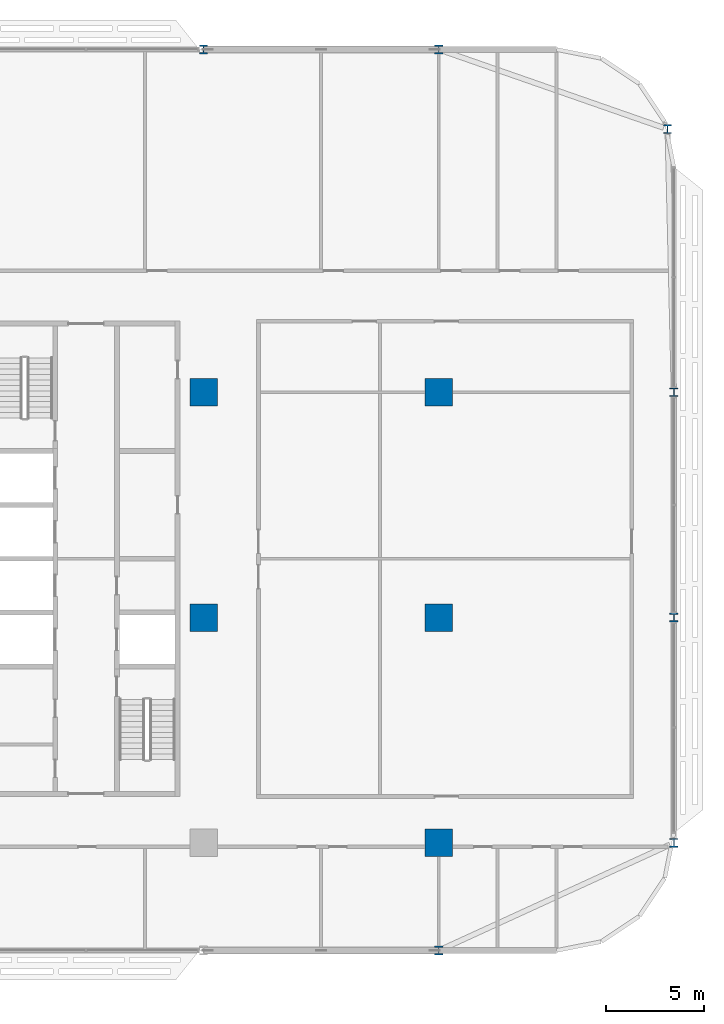
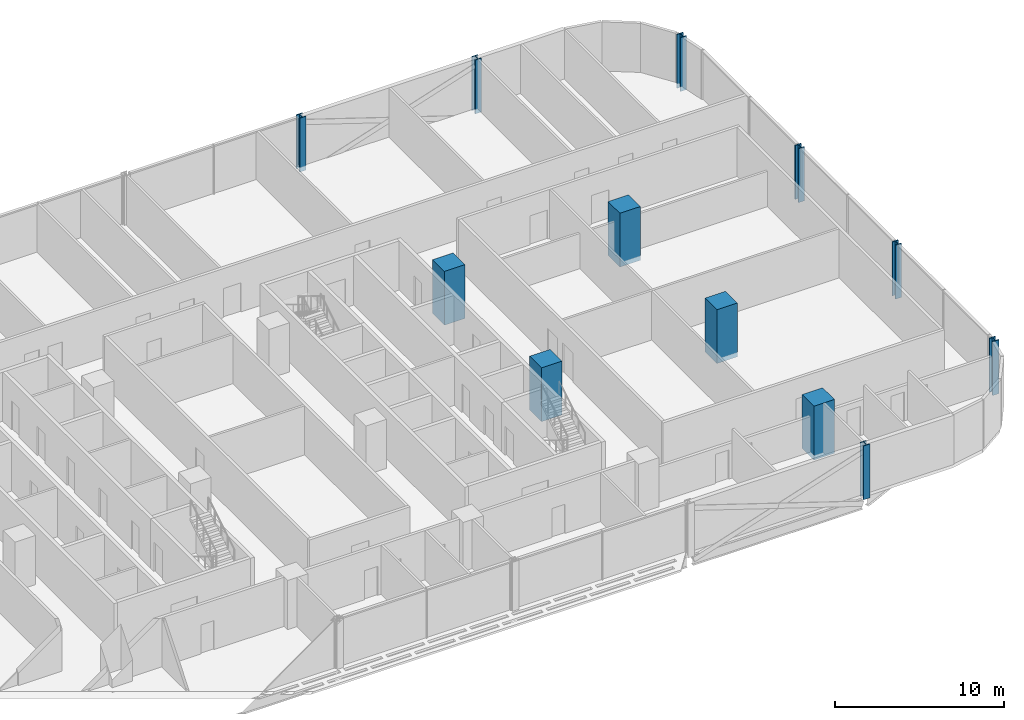
# One storey, part 2 of 29: 12 columns.
"""IFC4 building model written with IfcOpenShell, lengths in metres."""

from ifc_helpers import new_model, si_unit, direction, frame, origin, origin_2d, place, context, subcontext, project, spatial, rectangle, i_section, extrude, material, material_profile, profile_set, type_object, element, save


model = new_model("IFC4")

# Units and contexts
model_context = context("Model", 3, precision=1e-05, world=origin(), true_north=direction((0.0, 1.0)))
body_context = subcontext(model_context, "Body", "Model", "MODEL_VIEW")
ifc_project = project(units=[si_unit("LENGTHUNIT", "METRE"), si_unit("AREAUNIT", "SQUARE_METRE"), si_unit("VOLUMEUNIT", "CUBIC_METRE"), si_unit("PLANEANGLEUNIT", "RADIAN"), si_unit("MASSUNIT", "GRAM", prefix="KILO")], contexts=[model_context])

# Site, building, storey
site_placement = place(None, origin())
site = spatial("IfcSite", under=ifc_project, at=site_placement, CompositionType="ELEMENT")
building_placement = place(site_placement, origin())
building = spatial("IfcBuilding", under=site, at=building_placement, Name="Mahtab Terrace Research Tower", CompositionType="ELEMENT")
storey_placement = place(building_placement, frame((0.0, 0.0, 113.5)))
storey = spatial("IfcBuildingStorey", under=building, at=storey_placement, Name="L26", CompositionType="ELEMENT", Elevation=113.5)

# Columns
ifc_material_1 = material(Name="Concrete C70/85", Category="concrete")
ifc_material_profile_1 = material_profile(ifc_material_1, rectangle(XDim=1.39990234375, YDim=1.39990234375, at=origin_2d()), Name="RC column 1400x1400")
ifc_profile_set_1 = profile_set([ifc_material_profile_1], Name="Concrete C70/85")
column_type_1 = type_object("IfcColumnType", Name="RC column 1400x1400", PredefinedType="COLUMN", material=ifc_profile_set_1)
for number, where, z_axis, x_axis, name in (
    (1, (30.0, 0.0, -0.340087890625), (0.0, 0.0, 1.0), (1.0, 0.0, 0.0), "Column RC-7B L26"),
    (2, (30.0, 11.5, -0.340087890625), (0.0, 0.0, 1.0), (1.0, 0.0, 0.0), "Column RC-7C L26"),
    (3, (42.0, -11.5, -0.340087890625), (0.0, 0.0, 1.0), (1.0, 0.0, 0.0), "Column RC-8A L26"),
    (4, (42.0, 0.0, -0.340087890625), (0.0, 0.0, 1.0), (1.0, 0.0, 0.0), "Column RC-8B L26"),
    (5, (42.0, 11.5, -0.340087890625), (0.0, 0.0, 1.0), (1.0, 0.0, 0.0), "Column RC-8C L26"),
):
    element("IfcColumn", number, at=place(storey_placement, frame(where, z_axis=z_axis, x_axis=x_axis)), inside=storey, type_object=column_type_1, Name=name, PredefinedType="COLUMN", context=body_context, shape_type="SweptSolid", body=[
        extrude(rectangle(XDim=1.39990234375, YDim=1.39990234375, at=origin_2d()), origin(), (0.0, 0.0, 1.0), 3.89013671875),
    ])
ifc_material_2 = material(Name="Steel ASTM A992 Gr 50", Category="steel")
ifc_material_profile_2 = material_profile(ifc_material_2, i_section(OverallWidth=0.419189453125, OverallDepth=0.45458984375, WebThickness=0.042236328125, FlangeThickness=0.067626953125, at=origin_2d()), Name="W14X370")
ifc_profile_set_2 = profile_set([ifc_material_profile_2], Name="Steel ASTM A992 Gr 50")
column_type_2 = type_object("IfcColumnType", Name="W14x370 column CS14370", PredefinedType="COLUMN", material=ifc_profile_set_2)
for number, where, z_axis, x_axis, name in (
    (6, (53.681884765625, 24.927001953125, -0.340087890625), (0.0, 0.0, 1.0), (1.0, 0.0, 0.0), "Column SC-030 L26"),
    (7, (42.0, 29.0, -0.340087890625), (0.0, 0.0, 1.0), (1.0, 0.0, 0.0), "Column SC-031 L26"),
    (8, (30.0, 29.0, -0.340087890625), (0.0, 0.0, 1.0), (1.0, 0.0, 0.0), "Column SC-032 L26"),
    (9, (42.0, -17.0, -0.340087890625), (0.0, 0.0, 1.0), (1.0, 0.0, 0.0), "Column SC-045 L26"),
    (10, (54.0, -11.5, -0.340087890625), (0.0, 0.0, 1.0), (1.0, 0.0, 0.0), "Column SC-027 L26"),
    (11, (54.0, 0.0, -0.340087890625), (0.0, 0.0, 1.0), (1.0, 0.0, 0.0), "Column SC-028 L26"),
    (12, (54.0, 11.5, -0.340087890625), (0.0, 0.0, 1.0), (1.0, 0.0, 0.0), "Column SC-029 L26"),
):
    element("IfcColumn", number, at=place(storey_placement, frame(where, z_axis=z_axis, x_axis=x_axis)), inside=storey, type_object=column_type_2, Name=name, PredefinedType="COLUMN", context=body_context, shape_type="SweptSolid", body=[
        extrude(i_section(OverallWidth=0.419189453125, OverallDepth=0.45458984375, WebThickness=0.042236328125, FlangeThickness=0.067626953125, at=origin_2d()), origin(), (0.0, 0.0, 1.0), 3.89013671875),
    ])

save(model, "model.ifc")
